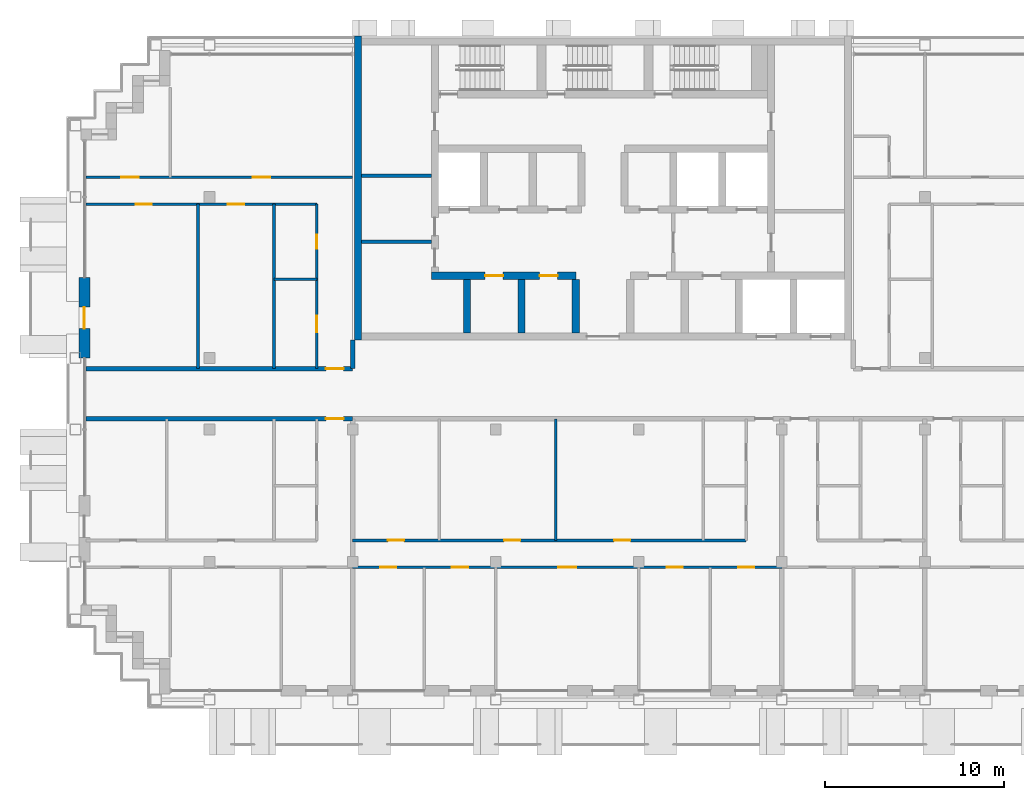
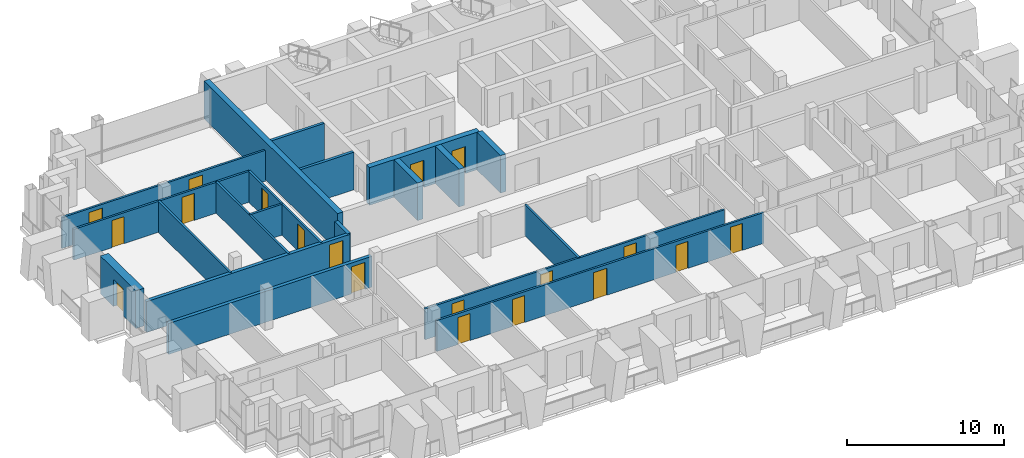
# One storey, part 8 of 16: 20 walls, 19 doors, 19 openings.
"""IFC4 building model written with IfcOpenShell, lengths in metres."""

from ifc_helpers import new_model, si_unit, direction, frame, frame_2d, origin, place, context, subcontext, project, spatial, rectangle, extrude, material, layer, layer_set, type_object, element, fill, save


model = new_model("IFC4")

# Units and contexts
model_context = context("Model", 3, precision=1e-05, world=origin(), true_north=direction((0.0, 1.0)))
body_context = subcontext(model_context, "Body", "Model", "MODEL_VIEW")
ifc_project = project(units=[si_unit("LENGTHUNIT", "METRE"), si_unit("AREAUNIT", "SQUARE_METRE"), si_unit("VOLUMEUNIT", "CUBIC_METRE"), si_unit("PLANEANGLEUNIT", "RADIAN"), si_unit("MASSUNIT", "GRAM", prefix="KILO")], contexts=[model_context])

# Site, building, storey
site_placement = place(None, origin())
site = spatial("IfcSite", under=ifc_project, at=site_placement, CompositionType="ELEMENT")
building_placement = place(site_placement, origin())
building = spatial("IfcBuilding", under=site, at=building_placement, Name="Vidyagriha Tower", CompositionType="ELEMENT")
storey_placement = place(building_placement, frame((0.0, 0.0, 207.60009765625)))
storey = spatial("IfcBuildingStorey", under=building, at=storey_placement, Name="L53", CompositionType="ELEMENT", Elevation=207.60009765625)

# Wall, opening, door
ifc_material_1 = material(Name="Precast concrete C40/50 with brick facing", Category="concrete")
ifc_layer_1 = layer(ifc_material_1, 0.60009765625)
ifc_layer_set_1 = layer_set([ifc_layer_1], Name="Precast concrete C40/50 with brick facing")
wall_type_1 = type_object("IfcWallType", Name="Brick-faced precast wall 600", PredefinedType="STANDARD", material=ifc_layer_set_1)
wall_1_placement = place(storey_placement, frame((-29.0, 6.5, 0.0), z_axis=(0.0, 0.0, 1.0), x_axis=(0.0, -1.0, 0.0)))
wall_1 = element("IfcWall", 1, at=wall_1_placement, inside=storey, type_object=wall_type_1, Name="Brick door bay wall L53 R16.3", PredefinedType="STANDARD", context=body_context, shape_type="SweptSolid", body=[
    extrude(rectangle(XDim=4.5, YDim=0.60009765625, at=frame_2d((2.25, 0.0))), origin(), (0.0, 0.0, 1.0), 2.919921875),
])
opening_1_placement = place(wall_1_placement, frame((1.64990234375, 0.0, 0.0)))
opening_1 = element("IfcOpeningElement", 2, at=opening_1_placement, cuts=wall_1, Name="Opening D53-65", PredefinedType="OPENING", context=body_context, shape_type="SweptSolid", body=[
    extrude(rectangle(XDim=1.199951171875, YDim=2.10009765625, at=frame_2d((0.60009765625, 1.050048828125))), frame((0.0, 0.31005859375, 0.0), z_axis=(0.0, -1.0, 0.0), x_axis=(1.0, 0.0, 0.0)), (0.0, 0.0, 1.0), 0.6201171875),
])
ifc_material_2 = material(Name="Aluminium framed glazed sliding door", Category="aluminium")
door_type_1 = type_object("IfcDoorType", Name="Balcony sliding door 1200x2100", OperationType="NOTDEFINED", PredefinedType="DOOR", material=ifc_material_2)
door_1_placement = place(opening_1_placement, origin())
door_1 = element("IfcDoor", 3, at=door_1_placement, inside=storey, type_object=door_type_1, Name="Door D53-65", OperationType="SLIDING_TO_LEFT", OverallHeight=2.10009765625, OverallWidth=1.199951171875, PredefinedType="DOOR", context=body_context, shape_type="SweptSolid", body=[
    extrude(rectangle(XDim=1.199951171875, YDim=2.10009765625, at=frame_2d((0.60009765625, 1.050048828125))), frame((0.0, 0.02490234375, 0.0), z_axis=(0.0, -1.0, 0.0), x_axis=(1.0, 0.0, 0.0)), (0.0, 0.0, 1.0), 0.050048828125),
])
fill(opening_1, door_1)

# Wall
ifc_material_3 = material(Name="Concrete C60/75", Category="concrete")
ifc_layer_2 = layer(ifc_material_3, 0.39990234375)
ifc_layer_set_2 = layer_set([ifc_layer_2], Name="Concrete C60/75")
wall_type_2 = type_object("IfcWallType", Name="Core shear wall 400 mm", PredefinedType="SHEAR", material=ifc_layer_set_2)
wall_2_placement = place(storey_placement, frame((-13.699951171875, 3.0, 0.0), z_axis=(0.0, 0.0, 1.0), x_axis=(0.0, 1.0, 0.0)))
element("IfcWall", 4, at=wall_2_placement, inside=storey, type_object=wall_type_2, Name="Core west wall", PredefinedType="SHEAR", context=body_context, shape_type="SweptSolid", body=[
    extrude(rectangle(XDim=17.0, YDim=0.39990234375, at=frame_2d((8.5, 0.0))), origin(), (0.0, 0.0, 1.0), 2.919921875),
])

# Wall, openings, doors
wall_3_placement = place(storey_placement, frame((-9.60009765625, 6.60009765625, 0.0)))
wall_3 = element("IfcWall", 5, at=wall_3_placement, inside=storey, type_object=wall_type_2, Name="Core lobby south wall west", PredefinedType="SHEAR", context=body_context, shape_type="SweptSolid", body=[
    extrude(rectangle(XDim=8.077880859375, YDim=0.39990234375, at=frame_2d((4.0390625, 0.0))), origin(), (0.0, 0.0, 1.0), 2.919921875),
])
opening_2_placement = place(wall_3_placement, frame((3.010986328125, 0.0, 0.0)))
opening_2 = element("IfcOpeningElement", 6, at=opening_2_placement, cuts=wall_3, Name="Opening D53-02", PredefinedType="OPENING", context=body_context, shape_type="SweptSolid", body=[
    extrude(rectangle(XDim=1.0, YDim=2.10009765625, at=frame_2d((0.5, 1.050048828125))), frame((0.0, 0.2099609375, 0.0), z_axis=(0.0, -1.0, 0.0), x_axis=(1.0, 0.0, 0.0)), (0.0, 0.0, 1.0), 0.419921875),
])
opening_3_placement = place(wall_3_placement, frame((6.0556640625, 0.0, 0.0)))
opening_3 = element("IfcOpeningElement", 7, at=opening_3_placement, cuts=wall_3, Name="Opening D53-03", PredefinedType="OPENING", context=body_context, shape_type="SweptSolid", body=[
    extrude(rectangle(XDim=1.0, YDim=2.10009765625, at=frame_2d((0.5, 1.050048828125))), frame((0.0, 0.2099609375, 0.0), z_axis=(0.0, -1.0, 0.0), x_axis=(1.0, 0.0, 0.0)), (0.0, 0.0, 1.0), 0.419921875),
])
ifc_material_4 = material(Name="Hollow metal door leaf")
door_type_2 = type_object("IfcDoorType", Name="Core room door 1000 x 2100 mm EI 60", OperationType="NOTDEFINED", PredefinedType="DOOR", material=ifc_material_4)
door_2_placement = place(opening_2_placement, origin())
door_2 = element("IfcDoor", 8, at=door_2_placement, inside=storey, type_object=door_type_2, Name="Door Communications Room 53.01", OperationType="SINGLE_SWING_RIGHT", OverallHeight=2.10009765625, OverallWidth=1.0, PredefinedType="DOOR", context=body_context, shape_type="SweptSolid", body=[
    extrude(rectangle(XDim=1.0, YDim=2.10009765625, at=frame_2d((0.5, 1.050048828125))), frame((0.0, 0.02490234375, 0.0), z_axis=(0.0, -1.0, 0.0), x_axis=(1.0, 0.0, 0.0)), (0.0, 0.0, 1.0), 0.050048828125),
])
fill(opening_2, door_2)
door_3_placement = place(opening_3_placement, origin())
door_3 = element("IfcDoor", 9, at=door_3_placement, inside=storey, type_object=door_type_2, Name="Door Cleaners Store 53.02", OperationType="SINGLE_SWING_RIGHT", OverallHeight=2.10009765625, OverallWidth=1.0, PredefinedType="DOOR", context=body_context, shape_type="SweptSolid", body=[
    extrude(rectangle(XDim=1.0, YDim=2.10009765625, at=frame_2d((0.5, 1.050048828125))), frame((0.0, 0.02490234375, 0.0), z_axis=(0.0, -1.0, 0.0), x_axis=(1.0, 0.0, 0.0)), (0.0, 0.0, 1.0), 0.050048828125),
])
fill(opening_3, door_3)

# Walls
for number, where, z_axis, x_axis, name in (
    (10, (-7.611083984375, 3.39990234375, 0.0), (0.0, 0.0, 1.0), (0.0, 1.0, 0.0), "Core bay wall S2"),
    (11, (-4.566650390625, 3.39990234375, 0.0), (0.0, 0.0, 1.0), (0.0, 1.0, 0.0), "Core bay wall S3"),
    (12, (-1.522216796875, 3.39990234375, 0.0), (0.0, 0.0, 1.0), (0.0, 1.0, 0.0), "Core bay wall S4"),
):
    element("IfcWall", number, at=place(storey_placement, frame(where, z_axis=z_axis, x_axis=x_axis)), inside=storey, type_object=wall_type_2, Name=name, PredefinedType="SHEAR", context=body_context, shape_type="SweptSolid", body=[
        extrude(rectangle(XDim=3.0, YDim=0.39990234375, at=frame_2d((1.5, 0.0))), origin(), (0.0, 0.0, 1.0), 2.919921875),
    ])

# Wall, opening, door
ifc_material_5 = material(Name="Fired clay brick masonry", Category="masonry")
ifc_layer_3 = layer(ifc_material_5, 0.25)
ifc_layer_set_3 = layer_set([ifc_layer_3], Name="Fired clay brick masonry")
wall_type_3 = type_object("IfcWallType", Name="Fired clay brick corridor wall 250", PredefinedType="PARTITIONING", material=ifc_layer_set_3)
wall_4_placement = place(storey_placement, frame((-14.0, -1.39990234375, 0.0), z_axis=(0.0, 0.0, 1.0), x_axis=(-1.0, 0.0, 0.0)))
wall_4 = element("IfcWall", 13, at=wall_4_placement, inside=storey, type_object=wall_type_3, Name="Wall all-L53-w066", PredefinedType="PARTITIONING", context=body_context, shape_type="SweptSolid", body=[
    extrude(rectangle(XDim=14.919921875, YDim=0.25, at=frame_2d((7.4599609375, 0.0))), origin(), (0.0, 0.0, 1.0), 2.39990234375),
])
opening_4_placement = place(wall_4_placement, frame((0.5, 0.0, 0.0)))
opening_4 = element("IfcOpeningElement", 14, at=opening_4_placement, cuts=wall_4, Name="Opening D53-25", PredefinedType="OPENING", context=body_context, shape_type="SweptSolid", body=[
    extrude(rectangle(XDim=1.0, YDim=2.10009765625, at=frame_2d((0.5, 1.050048828125))), frame((0.0, 0.135009765625, 0.0), z_axis=(0.0, -1.0, 0.0), x_axis=(1.0, 0.0, 0.0)), (0.0, 0.0, 1.0), 0.27001953125),
])
ifc_material_6 = material(Name="Fire-rated timber door leaf EI 60", Category="wood")
door_type_3 = type_object("IfcDoorType", Name="Flat entrance fire door 1000x2100", OperationType="NOTDEFINED", PredefinedType="DOOR", material=ifc_material_6)
door_4_placement = place(opening_4_placement, origin())
door_4 = element("IfcDoor", 15, at=door_4_placement, inside=storey, type_object=door_type_3, Name="Door D53-25", OperationType="SINGLE_SWING_LEFT", OverallHeight=2.10009765625, OverallWidth=1.0, PredefinedType="DOOR", context=body_context, shape_type="SweptSolid", body=[
    extrude(rectangle(XDim=1.0, YDim=2.10009765625, at=frame_2d((0.5, 1.050048828125))), frame((0.0, 0.02490234375, 0.0), z_axis=(0.0, -1.0, 0.0), x_axis=(1.0, 0.0, 0.0)), (0.0, 0.0, 1.0), 0.050048828125),
])
fill(opening_4, door_4)

wall_5_placement = place(storey_placement, frame((-28.919921875, 1.39990234375, 0.0)))
wall_5 = element("IfcWall", 16, at=wall_5_placement, inside=storey, type_object=wall_type_3, Name="Wall all-L53-w082", PredefinedType="PARTITIONING", context=body_context, shape_type="SweptSolid", body=[
    extrude(rectangle(XDim=14.919921875, YDim=0.25, at=frame_2d((7.4599609375, 0.0))), origin(), (0.0, 0.0, 1.0), 2.39990234375),
])
opening_5_placement = place(wall_5_placement, frame((13.419921875, 0.0, 0.0)))
opening_5 = element("IfcOpeningElement", 17, at=opening_5_placement, cuts=wall_5, Name="Opening D53-55", PredefinedType="OPENING", context=body_context, shape_type="SweptSolid", body=[
    extrude(rectangle(XDim=1.0, YDim=2.10009765625, at=frame_2d((0.5, 1.050048828125))), frame((0.0, 0.135009765625, 0.0), z_axis=(0.0, -1.0, 0.0), x_axis=(1.0, 0.0, 0.0)), (0.0, 0.0, 1.0), 0.27001953125),
])
door_5_placement = place(opening_5_placement, origin())
door_5 = element("IfcDoor", 18, at=door_5_placement, inside=storey, type_object=door_type_3, Name="Door D53-55", OperationType="SINGLE_SWING_RIGHT", OverallHeight=2.10009765625, OverallWidth=1.0, PredefinedType="DOOR", context=body_context, shape_type="SweptSolid", body=[
    extrude(rectangle(XDim=1.0, YDim=2.10009765625, at=frame_2d((0.5, 1.050048828125))), frame((0.0, 0.02490234375, 0.0), z_axis=(0.0, -1.0, 0.0), x_axis=(1.0, 0.0, 0.0)), (0.0, 0.0, 1.0), 0.050048828125),
])
fill(opening_5, door_5)

# Walls
wall_6_placement = place(storey_placement, frame((-14.0, 3.0, 0.0), z_axis=(0.0, 0.0, 1.0), x_axis=(0.0, -1.0, 0.0)))
element("IfcWall", 19, at=wall_6_placement, inside=storey, type_object=wall_type_3, Name="Wall all-L53-w104", PredefinedType="PARTITIONING", context=body_context, shape_type="SweptSolid", body=[
    extrude(rectangle(XDim=1.60009765625, YDim=0.25, at=frame_2d((0.800048828125, 0.0))), origin(), (0.0, 0.0, 1.0), 2.39990234375),
])
ifc_material_7 = material(Name="Gypsum board partition")
ifc_layer_4 = layer(ifc_material_7, 0.14990234375)
ifc_layer_set_4 = layer_set([ifc_layer_4], Name="Gypsum board partition")
wall_type_4 = type_object("IfcWallType", Name="Gypsum board partition 150", PredefinedType="PARTITIONING", material=ifc_layer_set_4)
wall_7_placement = place(storey_placement, frame((-2.64990234375, -8.199951171875, 0.0), z_axis=(0.0, 0.0, 1.0), x_axis=(0.0, 1.0, 0.0)))
element("IfcWall", 20, at=wall_7_placement, inside=storey, type_object=wall_type_4, Name="Wall all-L53-w022", PredefinedType="PARTITIONING", context=body_context, shape_type="SweptSolid", body=[
    extrude(rectangle(XDim=6.800048828125, YDim=0.14990234375, at=frame_2d((3.39990234375, 0.0))), origin(), (0.0, 0.0, 1.0), 2.39990234375),
])

# Wall, openings, doors
wall_8_placement = place(storey_placement, frame((-14.0, -8.199951171875, 0.0)))
wall_8 = element("IfcWall", 21, at=wall_8_placement, inside=storey, type_object=wall_type_4, Name="Wall all-L53-w024", PredefinedType="PARTITIONING", context=body_context, shape_type="SweptSolid", body=[
    extrude(rectangle(XDim=22.0, YDim=0.14990234375, at=frame_2d((11.0, 0.0))), origin(), (0.0, 0.0, 1.0), 2.39990234375),
])
opening_6_placement = place(wall_8_placement, frame((14.6240234375, 0.0, 0.0)))
opening_6 = element("IfcOpeningElement", 22, at=opening_6_placement, cuts=wall_8, Name="Opening D53-28", PredefinedType="OPENING", context=body_context, shape_type="SweptSolid", body=[
    extrude(rectangle(XDim=0.89990234375, YDim=2.10009765625, at=frame_2d((0.449951171875, 1.050048828125))), frame((0.0, 0.0849609375, 0.0), z_axis=(0.0, -1.0, 0.0), x_axis=(1.0, 0.0, 0.0)), (0.0, 0.0, 1.0), 0.169921875),
])
opening_7_placement = place(wall_8_placement, frame((8.47607421875, 0.0, 0.0)))
opening_7 = element("IfcOpeningElement", 23, at=opening_7_placement, cuts=wall_8, Name="Opening D53-29", PredefinedType="OPENING", context=body_context, shape_type="SweptSolid", body=[
    extrude(rectangle(XDim=0.89990234375, YDim=2.10009765625, at=frame_2d((0.449951171875, 1.050048828125))), frame((0.0, 0.0849609375, 0.0), z_axis=(0.0, -1.0, 0.0), x_axis=(1.0, 0.0, 0.0)), (0.0, 0.0, 1.0), 0.169921875),
])
opening_8_placement = place(wall_8_placement, frame((1.97509765625, 0.0, 0.0)))
opening_8 = element("IfcOpeningElement", 24, at=opening_8_placement, cuts=wall_8, Name="Opening D53-30", PredefinedType="OPENING", context=body_context, shape_type="SweptSolid", body=[
    extrude(rectangle(XDim=0.89990234375, YDim=2.10009765625, at=frame_2d((0.449951171875, 1.050048828125))), frame((0.0, 0.0849609375, 0.0), z_axis=(0.0, -1.0, 0.0), x_axis=(1.0, 0.0, 0.0)), (0.0, 0.0, 1.0), 0.169921875),
])
ifc_material_8 = material(Name="Timber door leaf", Category="wood")
door_type_4 = type_object("IfcDoorType", Name="Room door 900x2100", OperationType="NOTDEFINED", PredefinedType="DOOR", material=ifc_material_8)
door_6_placement = place(opening_6_placement, origin())
door_6 = element("IfcDoor", 25, at=door_6_placement, inside=storey, type_object=door_type_4, Name="Door D53-28", OperationType="SINGLE_SWING_LEFT", OverallHeight=2.10009765625, OverallWidth=0.89990234375, PredefinedType="DOOR", context=body_context, shape_type="SweptSolid", body=[
    extrude(rectangle(XDim=0.89990234375, YDim=2.10009765625, at=frame_2d((0.449951171875, 1.050048828125))), frame((0.0, 0.02490234375, 0.0), z_axis=(0.0, -1.0, 0.0), x_axis=(1.0, 0.0, 0.0)), (0.0, 0.0, 1.0), 0.050048828125),
])
fill(opening_6, door_6)
door_7_placement = place(opening_7_placement, origin())
door_7 = element("IfcDoor", 26, at=door_7_placement, inside=storey, type_object=door_type_4, Name="Door D53-29", OperationType="SINGLE_SWING_RIGHT", OverallHeight=2.10009765625, OverallWidth=0.89990234375, PredefinedType="DOOR", context=body_context, shape_type="SweptSolid", body=[
    extrude(rectangle(XDim=0.89990234375, YDim=2.10009765625, at=frame_2d((0.449951171875, 1.050048828125))), frame((0.0, 0.02490234375, 0.0), z_axis=(0.0, -1.0, 0.0), x_axis=(1.0, 0.0, 0.0)), (0.0, 0.0, 1.0), 0.050048828125),
])
fill(opening_7, door_7)
door_8_placement = place(opening_8_placement, origin())
door_8 = element("IfcDoor", 27, at=door_8_placement, inside=storey, type_object=door_type_4, Name="Door D53-30", OperationType="SINGLE_SWING_RIGHT", OverallHeight=2.10009765625, OverallWidth=0.89990234375, PredefinedType="DOOR", context=body_context, shape_type="SweptSolid", body=[
    extrude(rectangle(XDim=0.89990234375, YDim=2.10009765625, at=frame_2d((0.449951171875, 1.050048828125))), frame((0.0, 0.02490234375, 0.0), z_axis=(0.0, -1.0, 0.0), x_axis=(1.0, 0.0, 0.0)), (0.0, 0.0, 1.0), 0.050048828125),
])
fill(opening_8, door_8)

wall_9_placement = place(storey_placement, frame((10.0, -9.699951171875, 0.0), z_axis=(0.0, 0.0, 1.0), x_axis=(-1.0, 0.0, 0.0)))
wall_9 = element("IfcWall", 28, at=wall_9_placement, inside=storey, type_object=wall_type_4, Name="Wall all-L53-w028", PredefinedType="PARTITIONING", context=body_context, shape_type="SweptSolid", body=[
    extrude(rectangle(XDim=24.0, YDim=0.14990234375, at=frame_2d((12.0, 0.0))), origin(), (0.0, 0.0, 1.0), 2.39990234375),
])
opening_9_placement = place(wall_9_placement, frame((21.550048828125, 0.0, 0.0)))
opening_9 = element("IfcOpeningElement", 29, at=opening_9_placement, cuts=wall_9, Name="Opening D53-31", PredefinedType="OPENING", context=body_context, shape_type="SweptSolid", body=[
    extrude(rectangle(XDim=0.89990234375, YDim=2.10009765625, at=frame_2d((0.449951171875, 1.050048828125))), frame((0.0, 0.0849609375, 0.0), z_axis=(0.0, -1.0, 0.0), x_axis=(1.0, 0.0, 0.0)), (0.0, 0.0, 1.0), 0.169921875),
])
opening_10_placement = place(wall_9_placement, frame((17.550048828125, 0.0, 0.0)))
opening_10 = element("IfcOpeningElement", 30, at=opening_10_placement, cuts=wall_9, Name="Opening D53-32", PredefinedType="OPENING", context=body_context, shape_type="SweptSolid", body=[
    extrude(rectangle(XDim=0.89990234375, YDim=2.10009765625, at=frame_2d((0.449951171875, 1.050048828125))), frame((0.0, 0.0849609375, 0.0), z_axis=(0.0, -1.0, 0.0), x_axis=(1.0, 0.0, 0.0)), (0.0, 0.0, 1.0), 0.169921875),
])
opening_11_placement = place(wall_9_placement, frame((11.5, 0.0, 0.0)))
opening_11 = element("IfcOpeningElement", 31, at=opening_11_placement, cuts=wall_9, Name="Opening D53-33", PredefinedType="OPENING", context=body_context, shape_type="SweptSolid", body=[
    extrude(rectangle(XDim=1.0, YDim=2.10009765625, at=frame_2d((0.5, 1.050048828125))), frame((0.0, 0.0849609375, 0.0), z_axis=(0.0, -1.0, 0.0), x_axis=(1.0, 0.0, 0.0)), (0.0, 0.0, 1.0), 0.169921875),
])
opening_12_placement = place(wall_9_placement, frame((5.550048828125, 0.0, 0.0)))
opening_12 = element("IfcOpeningElement", 32, at=opening_12_placement, cuts=wall_9, Name="Opening D53-34", PredefinedType="OPENING", context=body_context, shape_type="SweptSolid", body=[
    extrude(rectangle(XDim=0.89990234375, YDim=2.10009765625, at=frame_2d((0.449951171875, 1.050048828125))), frame((0.0, 0.0849609375, 0.0), z_axis=(0.0, -1.0, 0.0), x_axis=(1.0, 0.0, 0.0)), (0.0, 0.0, 1.0), 0.169921875),
])
opening_13_placement = place(wall_9_placement, frame((1.550048828125, 0.0, 0.0)))
opening_13 = element("IfcOpeningElement", 33, at=opening_13_placement, cuts=wall_9, Name="Opening D53-35", PredefinedType="OPENING", context=body_context, shape_type="SweptSolid", body=[
    extrude(rectangle(XDim=0.89990234375, YDim=2.10009765625, at=frame_2d((0.449951171875, 1.050048828125))), frame((0.0, 0.0849609375, 0.0), z_axis=(0.0, -1.0, 0.0), x_axis=(1.0, 0.0, 0.0)), (0.0, 0.0, 1.0), 0.169921875),
])
ifc_material_9 = material(Name="Timber door leaf", Category="wood")
door_type_5 = type_object("IfcDoorType", Name="Room door 1000x2100", OperationType="NOTDEFINED", PredefinedType="DOOR", material=ifc_material_9)
door_9_placement = place(opening_11_placement, origin())
door_9 = element("IfcDoor", 34, at=door_9_placement, inside=storey, type_object=door_type_5, Name="Door D53-33", OperationType="SINGLE_SWING_RIGHT", OverallHeight=2.10009765625, OverallWidth=1.0, PredefinedType="DOOR", context=body_context, shape_type="SweptSolid", body=[
    extrude(rectangle(XDim=1.0, YDim=2.10009765625, at=frame_2d((0.5, 1.050048828125))), frame((0.0, 0.02490234375, 0.0), z_axis=(0.0, -1.0, 0.0), x_axis=(1.0, 0.0, 0.0)), (0.0, 0.0, 1.0), 0.050048828125),
])
fill(opening_11, door_9)
door_10_placement = place(opening_9_placement, origin())
door_10 = element("IfcDoor", 35, at=door_10_placement, inside=storey, type_object=door_type_4, Name="Door D53-31", OperationType="SINGLE_SWING_RIGHT", OverallHeight=2.10009765625, OverallWidth=0.89990234375, PredefinedType="DOOR", context=body_context, shape_type="SweptSolid", body=[
    extrude(rectangle(XDim=0.89990234375, YDim=2.10009765625, at=frame_2d((0.449951171875, 1.050048828125))), frame((0.0, 0.02490234375, 0.0), z_axis=(0.0, -1.0, 0.0), x_axis=(1.0, 0.0, 0.0)), (0.0, 0.0, 1.0), 0.050048828125),
])
fill(opening_9, door_10)
door_11_placement = place(opening_10_placement, origin())
door_11 = element("IfcDoor", 36, at=door_11_placement, inside=storey, type_object=door_type_4, Name="Door D53-32", OperationType="SINGLE_SWING_RIGHT", OverallHeight=2.10009765625, OverallWidth=0.89990234375, PredefinedType="DOOR", context=body_context, shape_type="SweptSolid", body=[
    extrude(rectangle(XDim=0.89990234375, YDim=2.10009765625, at=frame_2d((0.449951171875, 1.050048828125))), frame((0.0, 0.02490234375, 0.0), z_axis=(0.0, -1.0, 0.0), x_axis=(1.0, 0.0, 0.0)), (0.0, 0.0, 1.0), 0.050048828125),
])
fill(opening_10, door_11)
door_12_placement = place(opening_12_placement, origin())
door_12 = element("IfcDoor", 37, at=door_12_placement, inside=storey, type_object=door_type_4, Name="Door D53-34", OperationType="SINGLE_SWING_RIGHT", OverallHeight=2.10009765625, OverallWidth=0.89990234375, PredefinedType="DOOR", context=body_context, shape_type="SweptSolid", body=[
    extrude(rectangle(XDim=0.89990234375, YDim=2.10009765625, at=frame_2d((0.449951171875, 1.050048828125))), frame((0.0, 0.02490234375, 0.0), z_axis=(0.0, -1.0, 0.0), x_axis=(1.0, 0.0, 0.0)), (0.0, 0.0, 1.0), 0.050048828125),
])
fill(opening_12, door_12)
door_13_placement = place(opening_13_placement, origin())
door_13 = element("IfcDoor", 38, at=door_13_placement, inside=storey, type_object=door_type_4, Name="Door D53-35", OperationType="SINGLE_SWING_RIGHT", OverallHeight=2.10009765625, OverallWidth=0.89990234375, PredefinedType="DOOR", context=body_context, shape_type="SweptSolid", body=[
    extrude(rectangle(XDim=0.89990234375, YDim=2.10009765625, at=frame_2d((0.449951171875, 1.050048828125))), frame((0.0, 0.02490234375, 0.0), z_axis=(0.0, -1.0, 0.0), x_axis=(1.0, 0.0, 0.0)), (0.0, 0.0, 1.0), 0.050048828125),
])
fill(opening_13, door_13)

# Walls
wall_10_placement = place(storey_placement, frame((-18.39990234375, 6.39990234375, 0.0)))
element("IfcWall", 39, at=wall_10_placement, inside=storey, type_object=wall_type_4, Name="Wall all-L53-w071", PredefinedType="PARTITIONING", context=body_context, shape_type="SweptSolid", body=[
    extrude(rectangle(XDim=2.39990234375, YDim=0.14990234375, at=frame_2d((1.199951171875, 0.0))), origin(), (0.0, 0.0, 1.0), 2.39990234375),
])
for number, where, z_axis, x_axis, name in (
    (40, (-18.39990234375, 1.39990234375, 0.0), (0.0, 0.0, 1.0), (0.0, 1.0, 0.0), "Wall all-L53-w072"),
    (41, (-22.64990234375, 1.39990234375, 0.0), (0.0, 0.0, 1.0), (0.0, 1.0, 0.0), "Wall all-L53-w073"),
):
    element("IfcWall", number, at=place(storey_placement, frame(where, z_axis=z_axis, x_axis=x_axis)), inside=storey, type_object=wall_type_4, Name=name, PredefinedType="PARTITIONING", context=body_context, shape_type="SweptSolid", body=[
        extrude(rectangle(XDim=9.2001953125, YDim=0.14990234375, at=frame_2d((4.60009765625, 0.0))), origin(), (0.0, 0.0, 1.0), 2.39990234375),
    ])

# Wall, openings, doors
wall_11_placement = place(storey_placement, frame((-16.0, 10.60009765625, 0.0), z_axis=(0.0, 0.0, 1.0), x_axis=(-1.0, 0.0, 0.0)))
wall_11 = element("IfcWall", 42, at=wall_11_placement, inside=storey, type_object=wall_type_4, Name="Wall all-L53-w074", PredefinedType="PARTITIONING", context=body_context, shape_type="SweptSolid", body=[
    extrude(rectangle(XDim=12.919921875, YDim=0.14990234375, at=frame_2d((6.4599609375, 0.0))), origin(), (0.0, 0.0, 1.0), 2.39990234375),
])
opening_14_placement = place(wall_11_placement, frame((4.074951171875, 0.0, 0.0)))
opening_14 = element("IfcOpeningElement", 43, at=opening_14_placement, cuts=wall_11, Name="Opening D53-51", PredefinedType="OPENING", context=body_context, shape_type="SweptSolid", body=[
    extrude(rectangle(XDim=0.89990234375, YDim=2.10009765625, at=frame_2d((0.449951171875, 1.050048828125))), frame((0.0, 0.0849609375, 0.0), z_axis=(0.0, -1.0, 0.0), x_axis=(1.0, 0.0, 0.0)), (0.0, 0.0, 1.0), 0.169921875),
])
opening_15_placement = place(wall_11_placement, frame((9.22509765625, 0.0, 0.0)))
opening_15 = element("IfcOpeningElement", 44, at=opening_15_placement, cuts=wall_11, Name="Opening D53-52", PredefinedType="OPENING", context=body_context, shape_type="SweptSolid", body=[
    extrude(rectangle(XDim=0.89990234375, YDim=2.10009765625, at=frame_2d((0.449951171875, 1.050048828125))), frame((0.0, 0.0849609375, 0.0), z_axis=(0.0, -1.0, 0.0), x_axis=(1.0, 0.0, 0.0)), (0.0, 0.0, 1.0), 0.169921875),
])
door_14_placement = place(opening_14_placement, origin())
door_14 = element("IfcDoor", 45, at=door_14_placement, inside=storey, type_object=door_type_4, Name="Door D53-51", OperationType="SINGLE_SWING_RIGHT", OverallHeight=2.10009765625, OverallWidth=0.89990234375, PredefinedType="DOOR", context=body_context, shape_type="SweptSolid", body=[
    extrude(rectangle(XDim=0.89990234375, YDim=2.10009765625, at=frame_2d((0.449951171875, 1.050048828125))), frame((0.0, 0.02490234375, 0.0), z_axis=(0.0, -1.0, 0.0), x_axis=(1.0, 0.0, 0.0)), (0.0, 0.0, 1.0), 0.050048828125),
])
fill(opening_14, door_14)
door_15_placement = place(opening_15_placement, origin())
door_15 = element("IfcDoor", 46, at=door_15_placement, inside=storey, type_object=door_type_4, Name="Door D53-52", OperationType="SINGLE_SWING_RIGHT", OverallHeight=2.10009765625, OverallWidth=0.89990234375, PredefinedType="DOOR", context=body_context, shape_type="SweptSolid", body=[
    extrude(rectangle(XDim=0.89990234375, YDim=2.10009765625, at=frame_2d((0.449951171875, 1.050048828125))), frame((0.0, 0.02490234375, 0.0), z_axis=(0.0, -1.0, 0.0), x_axis=(1.0, 0.0, 0.0)), (0.0, 0.0, 1.0), 0.050048828125),
])
fill(opening_15, door_15)

wall_12_placement = place(storey_placement, frame((-28.919921875, 12.10009765625, 0.0)))
wall_12 = element("IfcWall", 47, at=wall_12_placement, inside=storey, type_object=wall_type_4, Name="Wall all-L53-w077", PredefinedType="PARTITIONING", context=body_context, shape_type="SweptSolid", body=[
    extrude(rectangle(XDim=14.919921875, YDim=0.14990234375, at=frame_2d((7.4599609375, 0.0))), origin(), (0.0, 0.0, 1.0), 2.39990234375),
])
opening_16_placement = place(wall_12_placement, frame((1.969970703125, 0.0, 0.0)))
opening_16 = element("IfcOpeningElement", 48, at=opening_16_placement, cuts=wall_12, Name="Opening D53-53", PredefinedType="OPENING", context=body_context, shape_type="SweptSolid", body=[
    extrude(rectangle(XDim=1.0, YDim=2.10009765625, at=frame_2d((0.5, 1.050048828125))), frame((0.0, 0.0849609375, 0.0), z_axis=(0.0, -1.0, 0.0), x_axis=(1.0, 0.0, 0.0)), (0.0, 0.0, 1.0), 0.169921875),
])
opening_17_placement = place(wall_12_placement, frame((9.320068359375, 0.0, 0.0)))
opening_17 = element("IfcOpeningElement", 49, at=opening_17_placement, cuts=wall_12, Name="Opening D53-54", PredefinedType="OPENING", context=body_context, shape_type="SweptSolid", body=[
    extrude(rectangle(XDim=1.0, YDim=2.10009765625, at=frame_2d((0.5, 1.050048828125))), frame((0.0, 0.0849609375, 0.0), z_axis=(0.0, -1.0, 0.0), x_axis=(1.0, 0.0, 0.0)), (0.0, 0.0, 1.0), 0.169921875),
])
door_16_placement = place(opening_16_placement, origin())
door_16 = element("IfcDoor", 50, at=door_16_placement, inside=storey, type_object=door_type_5, Name="Door D53-53", OperationType="SINGLE_SWING_RIGHT", OverallHeight=2.10009765625, OverallWidth=1.0, PredefinedType="DOOR", context=body_context, shape_type="SweptSolid", body=[
    extrude(rectangle(XDim=1.0, YDim=2.10009765625, at=frame_2d((0.5, 1.050048828125))), frame((0.0, 0.02490234375, 0.0), z_axis=(0.0, -1.0, 0.0), x_axis=(1.0, 0.0, 0.0)), (0.0, 0.0, 1.0), 0.050048828125),
])
fill(opening_16, door_16)
door_17_placement = place(opening_17_placement, origin())
door_17 = element("IfcDoor", 51, at=door_17_placement, inside=storey, type_object=door_type_5, Name="Door D53-54", OperationType="SINGLE_SWING_LEFT", OverallHeight=2.10009765625, OverallWidth=1.0, PredefinedType="DOOR", context=body_context, shape_type="SweptSolid", body=[
    extrude(rectangle(XDim=1.0, YDim=2.10009765625, at=frame_2d((0.5, 1.050048828125))), frame((0.0, 0.02490234375, 0.0), z_axis=(0.0, -1.0, 0.0), x_axis=(1.0, 0.0, 0.0)), (0.0, 0.0, 1.0), 0.050048828125),
])
fill(opening_17, door_17)

ifc_material_10 = material(Name="Moisture resistant gypsum board partition")
ifc_layer_5 = layer(ifc_material_10, 0.14990234375)
ifc_layer_set_5 = layer_set([ifc_layer_5], Name="Moisture resistant gypsum board partition")
wall_type_5 = type_object("IfcWallType", Name="Gypsum board wet-area partition 150", PredefinedType="PARTITIONING", material=ifc_layer_set_5)
wall_13_placement = place(storey_placement, frame((-16.0, 1.39990234375, 0.0), z_axis=(0.0, 0.0, 1.0), x_axis=(0.0, 1.0, 0.0)))
wall_13 = element("IfcWall", 52, at=wall_13_placement, inside=storey, type_object=wall_type_5, Name="Wall all-L53-w068", PredefinedType="PARTITIONING", context=body_context, shape_type="SweptSolid", body=[
    extrude(rectangle(XDim=9.2001953125, YDim=0.14990234375, at=frame_2d((4.60009765625, 0.0))), origin(), (0.0, 0.0, 1.0), 2.39990234375),
])
opening_18_placement = place(wall_13_placement, frame((2.050048828125, 0.0, 0.0)))
opening_18 = element("IfcOpeningElement", 53, at=opening_18_placement, cuts=wall_13, Name="Opening D53-49", PredefinedType="OPENING", context=body_context, shape_type="SweptSolid", body=[
    extrude(rectangle(XDim=0.89990234375, YDim=2.10009765625, at=frame_2d((0.449951171875, 1.050048828125))), frame((0.0, 0.0849609375, 0.0), z_axis=(0.0, -1.0, 0.0), x_axis=(1.0, 0.0, 0.0)), (0.0, 0.0, 1.0), 0.169921875),
])
opening_19_placement = place(wall_13_placement, frame((6.699951171875, 0.0, 0.0)))
opening_19 = element("IfcOpeningElement", 54, at=opening_19_placement, cuts=wall_13, Name="Opening D53-50", PredefinedType="OPENING", context=body_context, shape_type="SweptSolid", body=[
    extrude(rectangle(XDim=0.800048828125, YDim=2.10009765625, at=frame_2d((0.39990234375, 1.050048828125))), frame((0.0, 0.0849609375, 0.0), z_axis=(0.0, -1.0, 0.0), x_axis=(1.0, 0.0, 0.0)), (0.0, 0.0, 1.0), 0.169921875),
])
ifc_material_11 = material(Name="Timber door leaf", Category="wood")
door_type_6 = type_object("IfcDoorType", Name="Bathroom door 800x2100", OperationType="NOTDEFINED", PredefinedType="DOOR", material=ifc_material_11)
door_18_placement = place(opening_19_placement, origin())
door_18 = element("IfcDoor", 55, at=door_18_placement, inside=storey, type_object=door_type_6, Name="Door D53-50", OperationType="SINGLE_SWING_RIGHT", OverallHeight=2.10009765625, OverallWidth=0.800048828125, PredefinedType="DOOR", context=body_context, shape_type="SweptSolid", body=[
    extrude(rectangle(XDim=0.800048828125, YDim=2.10009765625, at=frame_2d((0.39990234375, 1.050048828125))), frame((0.0, 0.02490234375, 0.0), z_axis=(0.0, -1.0, 0.0), x_axis=(1.0, 0.0, 0.0)), (0.0, 0.0, 1.0), 0.050048828125),
])
fill(opening_19, door_18)
ifc_material_12 = material(Name="Timber door leaf", Category="wood")
door_type_7 = type_object("IfcDoorType", Name="Kitchen door 900x2100", OperationType="NOTDEFINED", PredefinedType="DOOR", material=ifc_material_12)
door_19_placement = place(opening_18_placement, origin())
door_19 = element("IfcDoor", 56, at=door_19_placement, inside=storey, type_object=door_type_7, Name="Door D53-49", OperationType="SINGLE_SWING_LEFT", OverallHeight=2.10009765625, OverallWidth=0.89990234375, PredefinedType="DOOR", context=body_context, shape_type="SweptSolid", body=[
    extrude(rectangle(XDim=0.89990234375, YDim=2.10009765625, at=frame_2d((0.449951171875, 1.050048828125))), frame((0.0, 0.02490234375, 0.0), z_axis=(0.0, -1.0, 0.0), x_axis=(1.0, 0.0, 0.0)), (0.0, 0.0, 1.0), 0.050048828125),
])
fill(opening_18, door_19)

# Walls
ifc_material_13 = material(Name="Blockwork 15 MPa", Category="masonry")
ifc_layer_6 = layer(ifc_material_13, 0.199951171875)
ifc_layer_set_6 = layer_set([ifc_layer_6], Name="Blockwork 15 MPa")
wall_type_6 = type_object("IfcWallType", Name="Service room partition 200 mm", PredefinedType="PARTITIONING", material=ifc_layer_set_6)
for number, where, name in (
    (57, (-13.5, 8.5, 0.0), "Core room partition W1"),
    (58, (-13.5, 12.199951171875, 0.0), "Core room partition W2"),
):
    element("IfcWall", number, at=place(storey_placement, frame(where)), inside=storey, type_object=wall_type_6, Name=name, PredefinedType="PARTITIONING", context=body_context, shape_type="SweptSolid", body=[
        extrude(rectangle(XDim=3.89990234375, YDim=0.199951171875, at=frame_2d((1.949951171875, 0.0))), origin(), (0.0, 0.0, 1.0), 2.919921875),
    ])

save(model, "model.ifc")
